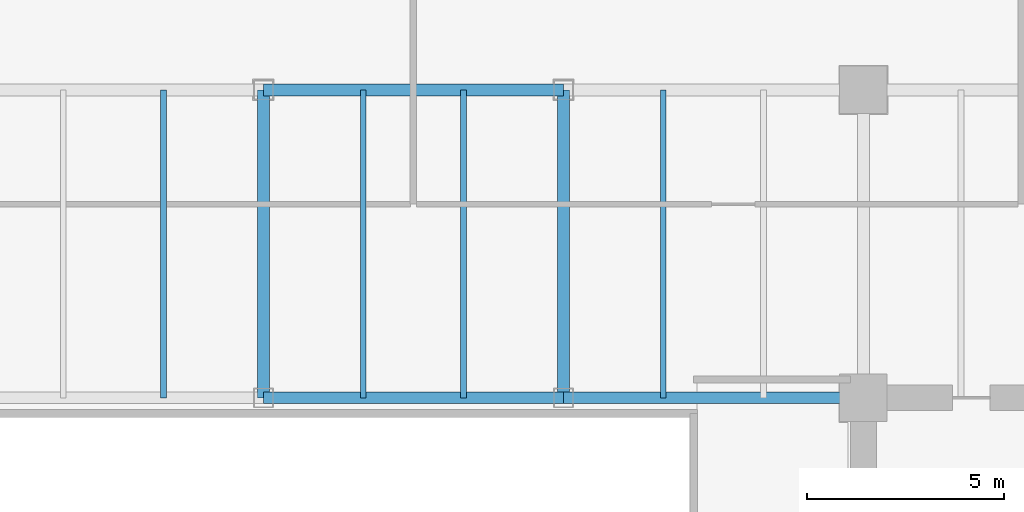
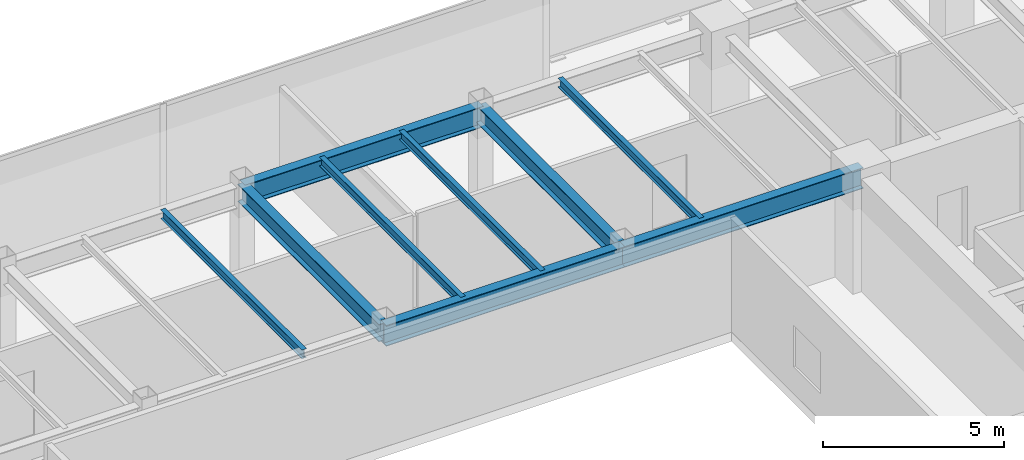
# One storey, part 17 of 34: 9 beams.
"""IFC4 building model written with IfcOpenShell, lengths in metres."""

from ifc_helpers import new_model, si_unit, direction, frame, origin, origin_2d, place, context, subcontext, project, spatial, i_section, extrude, source, transform, mapped, material, material_profile, profile_set, type_object, type_shapes, element, save


model = new_model("IFC4")

# Units and contexts
model_context = context("Model", 3, precision=1e-05, world=origin(), true_north=direction((0.0, 1.0)))
body_context = subcontext(model_context, "Body", "Model", "MODEL_VIEW")
ifc_project = project(units=[si_unit("LENGTHUNIT", "METRE"), si_unit("AREAUNIT", "SQUARE_METRE"), si_unit("VOLUMEUNIT", "CUBIC_METRE"), si_unit("PLANEANGLEUNIT", "RADIAN"), si_unit("MASSUNIT", "GRAM", prefix="KILO")], contexts=[model_context])

# Site, building, storey
site_placement = place(None, origin())
site = spatial("IfcSite", under=ifc_project, at=site_placement, CompositionType="ELEMENT")
building_placement = place(site_placement, origin())
building = spatial("IfcBuilding", under=site, at=building_placement, Name="Haelvirn Gate Laboratories", CompositionType="ELEMENT")
storey_placement = place(building_placement, frame((0.0, 0.0, 158.39990234375)))
storey = spatial("IfcBuildingStorey", under=building, at=storey_placement, Name="L38", CompositionType="ELEMENT", Elevation=158.39990234375)

# Beams
ifc_material = material(Name="Steel SM355", Category="steel")
ifc_material_profile_1 = material_profile(ifc_material, i_section(OverallWidth=0.300048828125, OverallDepth=0.699951171875, WebThickness=0.012939453125, FlangeThickness=0.02392578125, at=origin_2d()), Name="H-700x300x13x24")
ifc_profile_set_1 = profile_set([ifc_material_profile_1], Name="Steel SM355")
beam_type_1 = type_object("IfcBeamType", Name="BM-G-700", PredefinedType="BEAM", material=ifc_profile_set_1)
shared_shape_1 = source(origin(), body_context, "Body", "SweptSolid", [
    extrude(i_section(OverallWidth=0.300048828125, OverallDepth=0.699951171875, WebThickness=0.012939453125, FlangeThickness=0.02392578125, at=origin_2d()), origin(), (0.0, 0.0, 1.0), 7.60009765625),
])
type_shapes(beam_type_1, [shared_shape_1])
for number, where, z_axis, x_axis, name in (
    (1, (37.39990234375, 33.800048828125, 3.440185546875), (1.0, 0.0, 0.0), (0.0, 1.0, 0.0), "L38 Primary Girder Y33.8 (37.4-45.0)"),
    (2, (45.0, 33.800048828125, 3.440185546875), (1.0, 0.0, 0.0), (0.0, 1.0, 0.0), "L38 Primary Girder Y33.8 (45.0-52.6)"),
    (3, (37.39990234375, 41.60009765625, 3.440185546875), (1.0, 0.0, 0.0), (0.0, 1.0, 0.0), "L38 Primary Girder Y41.6 (37.4-45.0)"),
):
    element("IfcBeam", number, at=place(storey_placement, frame(where, z_axis=z_axis, x_axis=x_axis)), inside=storey, type_object=beam_type_1, Name=name, PredefinedType="BEAM", context=body_context, shape_type="MappedRepresentation", body=[
        mapped(shared_shape_1, transform((0.0, 0.0, 0.0), scale=1.0)),
    ])
ifc_material_profile_2 = material_profile(ifc_material, i_section(OverallWidth=0.14990234375, OverallDepth=0.300048828125, WebThickness=0.006591796875, FlangeThickness=0.009033203125, at=origin_2d()), Name="H-300x150x6.5x9")
ifc_profile_set_2 = profile_set([ifc_material_profile_2], Name="Steel SM355")
beam_type_2 = type_object("IfcBeamType", Name="BM-J-300", PredefinedType="JOIST", material=ifc_profile_set_2)
shared_shape_2 = source(origin(), body_context, "Body", "SweptSolid", [
    extrude(i_section(OverallWidth=0.14990234375, OverallDepth=0.300048828125, WebThickness=0.006591796875, FlangeThickness=0.009033203125, at=origin_2d()), origin(), (0.0, 0.0, 1.0), 7.800048828125),
])
type_shapes(beam_type_2, [shared_shape_2])
for number, where, z_axis, x_axis, name in (
    (4, (34.8701171875, 33.800048828125, 3.64013671875), (0.0, 1.0, 0.0), (-1.0, 0.0, 0.0), "L38 Composite Lab Joist North X34.87"),
    (5, (39.929931640625, 33.800048828125, 3.64013671875), (0.0, 1.0, 0.0), (-1.0, 0.0, 0.0), "L38 Composite Lab Joist North X39.93"),
    (6, (42.469970703125, 33.800048828125, 3.64013671875), (0.0, 1.0, 0.0), (-1.0, 0.0, 0.0), "L38 Composite Lab Joist North X42.47"),
    (7, (47.530029296875, 33.800048828125, 3.64013671875), (0.0, 1.0, 0.0), (-1.0, 0.0, 0.0), "L38 Composite Lab Joist North X47.53"),
):
    element("IfcBeam", number, at=place(storey_placement, frame(where, z_axis=z_axis, x_axis=x_axis)), inside=storey, type_object=beam_type_2, Name=name, PredefinedType="JOIST", context=body_context, shape_type="MappedRepresentation", body=[
        mapped(shared_shape_2, transform((0.0, 0.0, 0.0), scale=1.0)),
    ])
ifc_material_profile_3 = material_profile(ifc_material, i_section(OverallWidth=0.300048828125, OverallDepth=0.587890625, WebThickness=0.011962890625, FlangeThickness=0.02001953125, at=origin_2d()), Name="H-588x300x12x20")
ifc_profile_set_3 = profile_set([ifc_material_profile_3], Name="Steel SM355")
beam_type_3 = type_object("IfcBeamType", Name="BM-G-588", PredefinedType="BEAM", material=ifc_profile_set_3)
shared_shape_3 = source(origin(), body_context, "Body", "SweptSolid", [
    extrude(i_section(OverallWidth=0.300048828125, OverallDepth=0.587890625, WebThickness=0.011962890625, FlangeThickness=0.02001953125, at=origin_2d()), origin(), (0.0, 0.0, 1.0), 7.800048828125),
])
type_shapes(beam_type_3, [shared_shape_3])
for number, where, z_axis, x_axis, name in (
    (8, (37.39990234375, 33.800048828125, 3.49609375), (0.0, 1.0, 0.0), (-1.0, 0.0, 0.0), "L38 Frame Girder X37.4 (33.8-41.6)"),
    (9, (45.0, 33.800048828125, 3.49609375), (0.0, 1.0, 0.0), (-1.0, 0.0, 0.0), "L38 Frame Girder X45.0 (33.8-41.6)"),
):
    element("IfcBeam", number, at=place(storey_placement, frame(where, z_axis=z_axis, x_axis=x_axis)), inside=storey, type_object=beam_type_3, Name=name, PredefinedType="BEAM", context=body_context, shape_type="MappedRepresentation", body=[
        mapped(shared_shape_3, transform((0.0, 0.0, 0.0), scale=1.0)),
    ])

save(model, "model.ifc")
